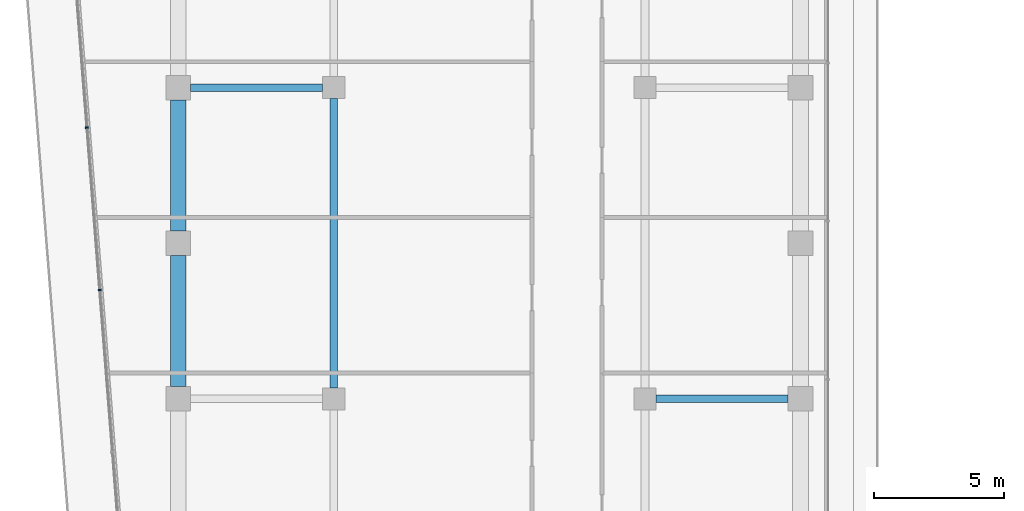
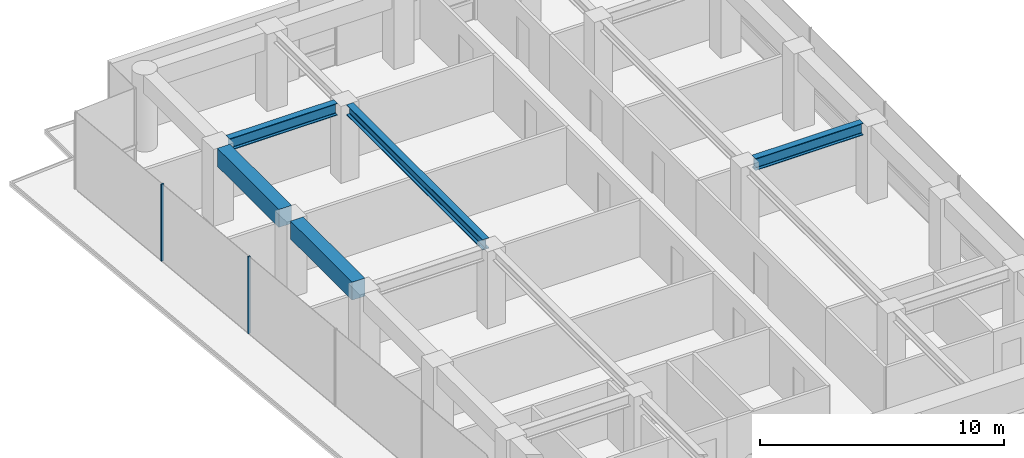
# One storey, part 16 of 28: 5 beams, 2 members, 1 element without a shape of its own.
"""IFC4 building model written with IfcOpenShell, lengths in metres."""

from ifc_helpers import new_model, si_unit, direction, frame, origin, origin_2d, place, context, subcontext, project, spatial, rectangle, i_section, extrude, material, layer, layer_set, material_profile, profile_set, type_object, element, aggregate, save


model = new_model("IFC4")

# Units and contexts
model_context = context("Model", 3, precision=1e-05, world=origin(), true_north=direction((0.0, 1.0)))
body_context = subcontext(model_context, "Body", "Model", "MODEL_VIEW")
ifc_project = project(units=[si_unit("LENGTHUNIT", "METRE"), si_unit("AREAUNIT", "SQUARE_METRE"), si_unit("VOLUMEUNIT", "CUBIC_METRE"), si_unit("PLANEANGLEUNIT", "RADIAN"), si_unit("MASSUNIT", "GRAM", prefix="KILO")], contexts=[model_context])

# Site, building, storey
site_placement = place(None, origin())
site = spatial("IfcSite", under=ifc_project, at=site_placement, CompositionType="ELEMENT")
building_placement = place(site_placement, origin())
building = spatial("IfcBuilding", under=site, at=building_placement, Name="Welwitschia Terrace Campus", CompositionType="ELEMENT")
storey_placement = place(building_placement, frame((0.0, 0.0, 71.0)))
storey = spatial("IfcBuildingStorey", under=building, at=storey_placement, Name="L16", CompositionType="ELEMENT", Elevation=71.0)

# Beam
ifc_material_1 = material(Name="Steel S355", Category="steel")
ifc_material_profile_1 = material_profile(ifc_material_1, i_section(OverallWidth=0.305908203125, OverallDepth=0.52392578125, WebThickness=0.02099609375, FlangeThickness=0.0400390625, FilletRadius=0.027099609375, at=origin_2d()))
ifc_profile_set_1 = profile_set([ifc_material_profile_1], Name="Steel S355")
beam_type_1 = type_object("IfcBeamType", Name="Interior girder HE 500 M", PredefinedType="BEAM", material=ifc_profile_set_1)
beam_placement = place(storey_placement, frame((6.0, 44.425537109375, 3.587890625), z_axis=(0.0, 1.0, 0.0), x_axis=(-1.0, 0.0, 0.0)))
element("IfcBeam", 1, at=beam_placement, inside=storey, type_object=beam_type_1, Name="Girder GB2", PredefinedType="BEAM", context=body_context, shape_type="SweptSolid", body=[
    extrude(i_section(OverallWidth=0.305908203125, OverallDepth=0.52392578125, WebThickness=0.02099609375, FlangeThickness=0.0400390625, FilletRadius=0.027099609375, at=origin_2d()), origin(), (0.0, 0.0, 1.0), 11.14892578125),
])

# Curtain wall, members
ifc_material_2 = material(Name="Bronze anodised aluminium", Category="aluminium")
ifc_layer = layer(ifc_material_2, 0.1201171875)
ifc_layer_set = layer_set([ifc_layer], Name="Bronze anodised aluminium")
curtain_wall_type = type_object("IfcCurtainWallType", Name="Curtain wall CW2 tower 6000", PredefinedType="NOTDEFINED", material=ifc_layer_set)
curtain_wall_placement = place(storey_placement, origin())
curtain_wall = element("IfcCurtainWall", 2, at=curtain_wall_placement, inside=storey, type_object=curtain_wall_type, Name="CW L16.18.0", PredefinedType="NOTDEFINED")
ifc_material_3 = material(Name="Bronze anodised aluminium", Category="aluminium")
ifc_material_profile_2 = material_profile(ifc_material_3, rectangle(XDim=0.1201171875, YDim=0.06005859375, at=origin_2d()))
ifc_profile_set_2 = profile_set([ifc_material_profile_2], Name="Bronze anodised aluminium")
member_type = type_object("IfcMemberType", Name="Mullion 60x120", PredefinedType="MULLION", material=ifc_profile_set_2)
member_1_placement = place(storey_placement, frame((-3.520263671875, 54.458740234375, 0.0), z_axis=(0.0, 0.0, 1.0), x_axis=(0.996917333733, 0.078459095728, 0.0)))
member_1 = element("IfcMember", 3, at=member_1_placement, type_object=member_type, Name="Mullion L16.18.0.1", PredefinedType="MULLION", context=body_context, shape_type="SweptSolid", body=[
    extrude(rectangle(XDim=0.1201171875, YDim=0.06005859375, at=origin_2d()), origin(), (0.0, 0.0, 1.0), 3.85009765625),
])
member_2_placement = place(storey_placement, frame((-3.02783203125, 48.201416015625, 0.0), z_axis=(0.0, 0.0, 1.0), x_axis=(0.996917333733, 0.078459095728, 0.0)))
member_2 = element("IfcMember", 4, at=member_2_placement, type_object=member_type, Name="Mullion L16.18.0.2", PredefinedType="MULLION", context=body_context, shape_type="SweptSolid", body=[
    extrude(rectangle(XDim=0.1201171875, YDim=0.06005859375, at=origin_2d()), origin(), (0.0, 0.0, 1.0), 3.85009765625),
])
aggregate(curtain_wall, [member_1, member_2])

# Beams
ifc_material_4 = material(Name="Steel S355", Category="steel")
ifc_material_profile_3 = material_profile(ifc_material_4, i_section(OverallWidth=0.300048828125, OverallDepth=0.60009765625, WebThickness=0.015380859375, FlangeThickness=0.030029296875, FilletRadius=0.027099609375, at=origin_2d()))
ifc_profile_set_3 = profile_set([ifc_material_profile_3], Name="Steel S355")
beam_type_2 = type_object("IfcBeamType", Name="Primary beam HE 600 B", PredefinedType="BEAM", material=ifc_profile_set_3)
for number, where, z_axis, x_axis, name in (
    (5, (23.5244140625, 44.0, 3.550048828125), (-1.0, 0.0, 0.0), (0.0, -1.0, 0.0), "Primary beam PB2"),
    (6, (0.4755859375, 56.0, 3.550048828125), (1.0, 0.0, 0.0), (0.0, 1.0, 0.0), "Primary beam PB2"),
):
    element("IfcBeam", number, at=place(storey_placement, frame(where, z_axis=z_axis, x_axis=x_axis)), inside=storey, type_object=beam_type_2, Name=name, PredefinedType="BEAM", context=body_context, shape_type="SweptSolid", body=[
        extrude(i_section(OverallWidth=0.300048828125, OverallDepth=0.60009765625, WebThickness=0.015380859375, FlangeThickness=0.030029296875, FilletRadius=0.027099609375, at=origin_2d()), origin(), (0.0, 0.0, 1.0), 5.098876953125),
    ])
ifc_material_5 = material(Name="Concrete C60/75", Category="concrete")
ifc_material_profile_4 = material_profile(ifc_material_5, rectangle(XDim=0.60009765625, YDim=0.89990234375, at=origin_2d()))
ifc_profile_set_4 = profile_set([ifc_material_profile_4], Name="Concrete C60/75")
beam_type_3 = type_object("IfcBeamType", Name="Ring spandrel 600x900", PredefinedType="SPANDREL", material=ifc_profile_set_4)
for number, where, z_axis, x_axis, name in (
    (7, (0.0, 55.5244140625, 3.39990234375), (0.0, -1.0, 0.0), (1.0, 0.0, 0.0), "Spandrel SP2"),
    (8, (0.0, 49.5244140625, 3.39990234375), (0.0, -1.0, 0.0), (1.0, 0.0, 0.0), "Spandrel SP2"),
):
    element("IfcBeam", number, at=place(storey_placement, frame(where, z_axis=z_axis, x_axis=x_axis)), inside=storey, type_object=beam_type_3, Name=name, PredefinedType="SPANDREL", context=body_context, shape_type="SweptSolid", body=[
        extrude(rectangle(XDim=0.60009765625, YDim=0.89990234375, at=origin_2d()), origin(), (0.0, 0.0, 1.0), 5.048828125),
    ])

save(model, "model.ifc")
